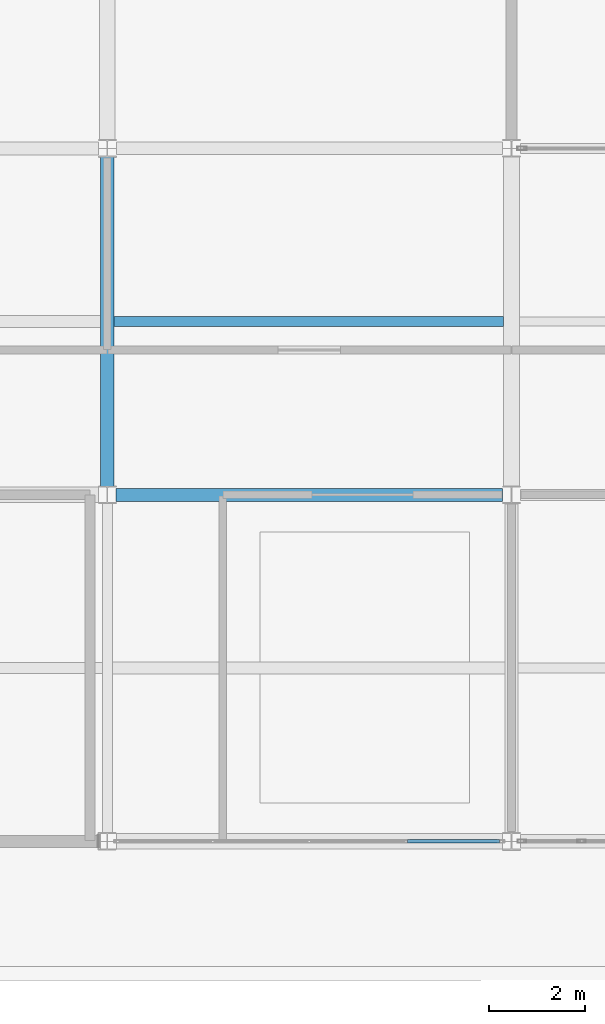
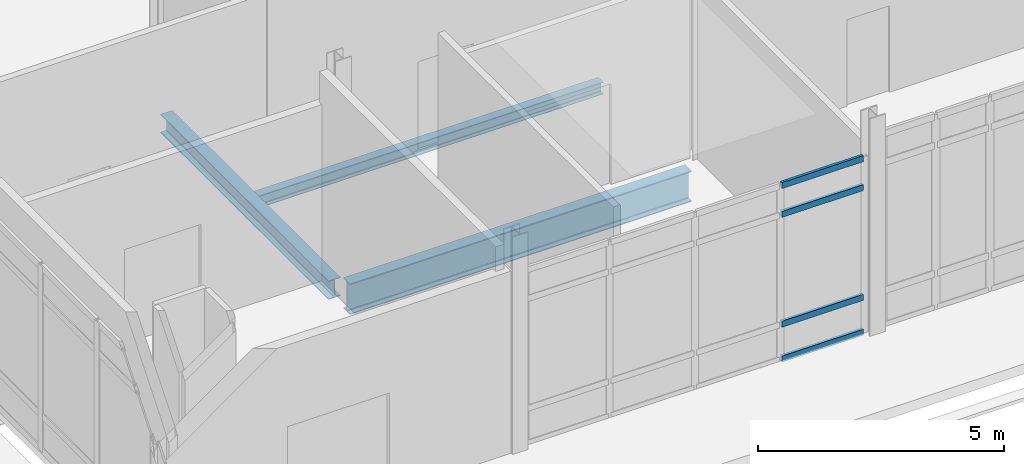
# One storey, part 38 of 229: 4 members, 3 beams, 1 element without a shape of its own.
"""IFC4 building model written with IfcOpenShell, lengths in metres."""

from ifc_helpers import new_model, si_unit, direction, frame, origin, origin_2d, place, context, subcontext, project, spatial, hollow_rectangle, i_section, extrude, material, layer, layer_set, material_profile, profile_set, type_object, element, aggregate, save


model = new_model("IFC4")

# Units and contexts
model_context = context("Model", 3, precision=1e-05, world=origin(), true_north=direction((0.0, 1.0)))
body_context = subcontext(model_context, "Body", "Model", "MODEL_VIEW")
ifc_project = project(units=[si_unit("LENGTHUNIT", "METRE"), si_unit("AREAUNIT", "SQUARE_METRE"), si_unit("VOLUMEUNIT", "CUBIC_METRE"), si_unit("PLANEANGLEUNIT", "RADIAN"), si_unit("MASSUNIT", "GRAM", prefix="KILO")], contexts=[model_context])

# Site, building, storey
site_placement = place(None, origin())
site = spatial("IfcSite", under=ifc_project, at=site_placement, CompositionType="ELEMENT")
building_placement = place(site_placement, origin())
building = spatial("IfcBuilding", under=site, at=building_placement, Name="Calvrana Isthmian Art Gallery", CompositionType="ELEMENT")
storey_placement = place(building_placement, origin())
storey = spatial("IfcBuildingStorey", under=building, at=storey_placement, Name="L00", CompositionType="ELEMENT", Elevation=0.0)

# Beams
ifc_material_1 = material(Name="Steel ASTM A992 Gr 50", Category="steel")
ifc_material_profile_1 = material_profile(ifc_material_1, i_section(OverallWidth=0.279052734375, OverallDepth=0.4619140625, WebThickness=0.0107421875, FlangeThickness=0.017333984375, FilletRadius=0.02001953125, at=origin_2d()), Name="W18X76")
ifc_profile_set_1 = profile_set([ifc_material_profile_1], Name="Steel ASTM A992 Gr 50")
beam_type_1 = type_object("IfcBeamType", Name="BM-G-W18X76", PredefinedType="BEAM", material=ifc_profile_set_1)
beam_1_placement = place(storey_placement, frame((72.0, 7.3779296875, -0.51611328125), z_axis=(0.0, 1.0, 0.0), x_axis=(-1.0, 0.0, 0.0)))
element("IfcBeam", 1, at=beam_1_placement, inside=storey, type_object=beam_type_1, Name="Girder Y L00 10/B-C", PredefinedType="BEAM", context=body_context, shape_type="SweptSolid", body=[
    extrude(i_section(OverallWidth=0.279052734375, OverallDepth=0.4619140625, WebThickness=0.0107421875, FlangeThickness=0.017333984375, FilletRadius=0.02001953125, at=origin_2d()), origin(), (0.0, 0.0, 1.0), 6.840576171875),
])
ifc_material_profile_2 = material_profile(ifc_material_1, i_section(OverallWidth=0.26708984375, OverallDepth=0.761962890625, WebThickness=0.014404296875, FlangeThickness=0.021484375, FilletRadius=0.02490234375, at=origin_2d()), Name="W30X116")
ifc_profile_set_2 = profile_set([ifc_material_profile_2], Name="Steel ASTM A992 Gr 50")
beam_type_2 = type_object("IfcBeamType", Name="BM-G-W30X116", PredefinedType="BEAM", material=ifc_profile_set_2)
beam_2_placement = place(storey_placement, frame((72.18408203125, 7.199951171875, -0.666015625), z_axis=(1.0, 0.0, 0.0), x_axis=(0.0, 1.0, 0.0)))
element("IfcBeam", 2, at=beam_2_placement, inside=storey, type_object=beam_type_2, Name="Girder X L00 10-11/B", PredefinedType="BEAM", context=body_context, shape_type="SweptSolid", body=[
    extrude(i_section(OverallWidth=0.26708984375, OverallDepth=0.761962890625, WebThickness=0.014404296875, FlangeThickness=0.021484375, FilletRadius=0.02490234375, at=origin_2d()), origin(), (0.0, 0.0, 1.0), 8.029296875),
])
ifc_material_profile_3 = material_profile(ifc_material_1, i_section(OverallWidth=0.202880859375, OverallDepth=0.302001953125, WebThickness=0.007568359375, FlangeThickness=0.01318359375, FilletRadius=0.01611328125, at=origin_2d()), Name="W12X40")
ifc_profile_set_3 = profile_set([ifc_material_profile_3], Name="Steel ASTM A992 Gr 50")
beam_type_3 = type_object("IfcBeamType", Name="BM-J-W12X40", PredefinedType="JOIST", material=ifc_profile_set_3)
beam_3_placement = place(storey_placement, frame((72.139404296875, 10.800048828125, -0.43603515625), z_axis=(1.0, 0.0, 0.0), x_axis=(0.0, 1.0, 0.0)))
element("IfcBeam", 3, at=beam_3_placement, inside=storey, type_object=beam_type_3, Name="Composite joist L00 bay 09-01", PredefinedType="JOIST", context=body_context, shape_type="SweptSolid", body=[
    extrude(i_section(OverallWidth=0.202880859375, OverallDepth=0.302001953125, WebThickness=0.007568359375, FlangeThickness=0.01318359375, FilletRadius=0.01611328125, at=origin_2d()), origin(), (0.0, 0.0, 1.0), 8.09814453125),
])

# Curtain wall, members
ifc_material_2 = material(Name="Anodized bronze aluminium 6063-T6", Category="aluminium")
ifc_layer = layer(ifc_material_2, 0.179931640625, Name="Anodized bronze aluminium 6063-T6")
ifc_layer_set = layer_set([ifc_layer], Name="Anodized bronze aluminium 6063-T6")
curtain_wall_type = type_object("IfcCurtainWallType", Name="CW-UNIT-080X44", PredefinedType="USERDEFINED", material=ifc_layer_set)
curtain_wall_placement = place(storey_placement, origin())
curtain_wall = element("IfcCurtainWall", 4, at=curtain_wall_placement, inside=storey, type_object=curtain_wall_type, Name="Curtain wall CW-007", ObjectType="UNITISED CURTAIN WALL", PredefinedType="USERDEFINED")
ifc_material_profile_4 = material_profile(ifc_material_2, hollow_rectangle(XDim=0.06494140625, YDim=0.14990234375, WallThickness=0.00390625, at=origin_2d()), Name="CWT65X150")
ifc_profile_set_4 = profile_set([ifc_material_profile_4], Name="Anodized bronze aluminium 6063-T6")
member_type = type_object("IfcMemberType", Name="CWT-CWT65X150", PredefinedType="USERDEFINED", material=ifc_profile_set_4)
member_1_placement = place(storey_placement, frame((80.153564453125, 0.0, 0.032470703125), z_axis=(-1.0, 0.0, 0.0), x_axis=(0.0, -1.0, 0.0)))
member_1 = element("IfcMember", 5, at=member_1_placement, type_object=member_type, Name="CW-007 transom 1.1", ObjectType="TRANSOM", PredefinedType="USERDEFINED", context=body_context, shape_type="SweptSolid", body=[
    extrude(hollow_rectangle(XDim=0.06494140625, YDim=0.14990234375, WallThickness=0.00390625, at=origin_2d()), origin(), (0.0, 0.0, 1.0), 1.91748046875),
])
member_2_placement = place(storey_placement, frame((80.153564453125, 0.0, 0.89990234375), z_axis=(-1.0, 0.0, 0.0), x_axis=(0.0, -1.0, 0.0)))
member_2 = element("IfcMember", 6, at=member_2_placement, type_object=member_type, Name="CW-007 transom 1.2", ObjectType="TRANSOM", PredefinedType="USERDEFINED", context=body_context, shape_type="SweptSolid", body=[
    extrude(hollow_rectangle(XDim=0.06494140625, YDim=0.14990234375, WallThickness=0.00390625, at=origin_2d()), origin(), (0.0, 0.0, 1.0), 1.91748046875),
])
member_3_placement = place(storey_placement, frame((80.153564453125, 0.0, 3.6279296875), z_axis=(-1.0, 0.0, 0.0), x_axis=(0.0, -1.0, 0.0)))
member_3 = element("IfcMember", 7, at=member_3_placement, type_object=member_type, Name="CW-007 transom 1.3", ObjectType="TRANSOM", PredefinedType="USERDEFINED", context=body_context, shape_type="SweptSolid", body=[
    extrude(hollow_rectangle(XDim=0.06494140625, YDim=0.14990234375, WallThickness=0.00390625, at=origin_2d()), origin(), (0.0, 0.0, 1.0), 1.91748046875),
])
member_4_placement = place(storey_placement, frame((80.153564453125, 0.0, 4.345458984375), z_axis=(-1.0, 0.0, 0.0), x_axis=(0.0, -1.0, 0.0)))
member_4 = element("IfcMember", 8, at=member_4_placement, type_object=member_type, Name="CW-007 transom 1.4", ObjectType="TRANSOM", PredefinedType="USERDEFINED", context=body_context, shape_type="SweptSolid", body=[
    extrude(hollow_rectangle(XDim=0.06494140625, YDim=0.14990234375, WallThickness=0.00390625, at=origin_2d()), origin(), (0.0, 0.0, 1.0), 1.91748046875),
])
aggregate(curtain_wall, [member_1, member_2, member_3, member_4])

save(model, "model.ifc")
